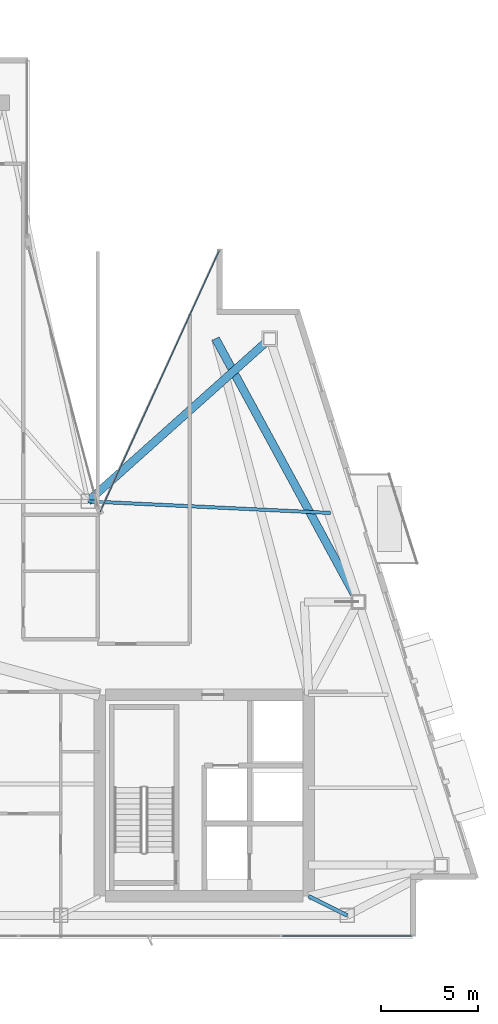
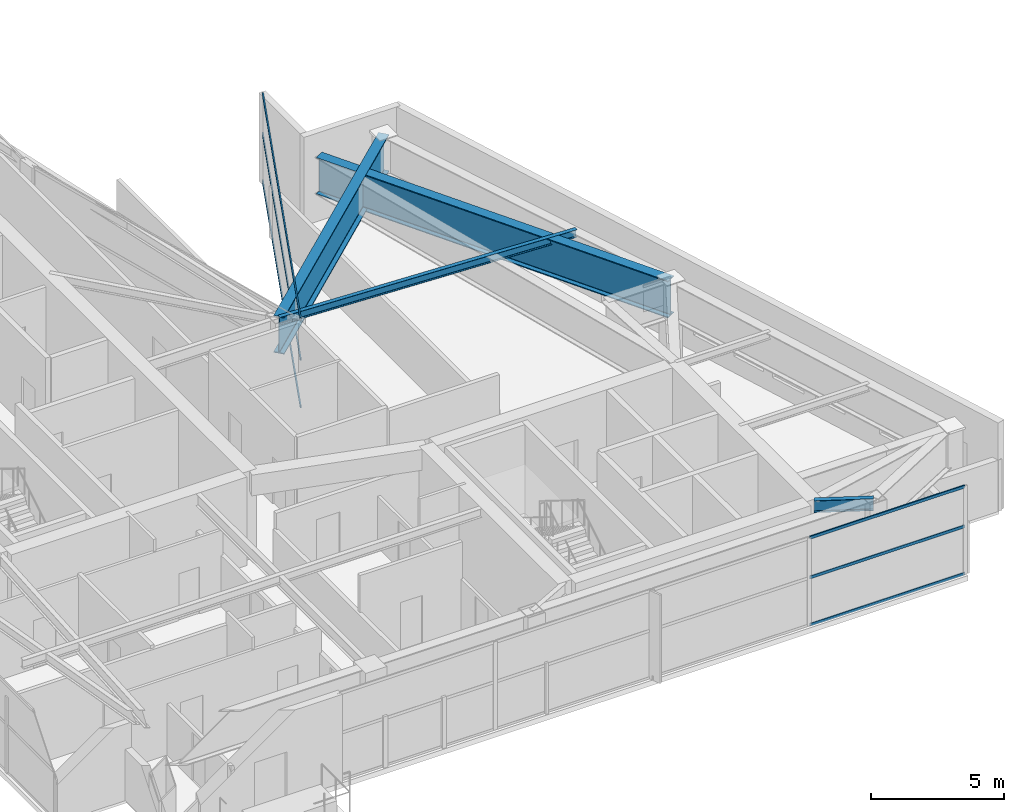
# One storey, part 12 of 26: 6 members, 4 beams, 2 elements without a shape of their own.
"""IFC4 building model written with IfcOpenShell, lengths in metres."""

from ifc_helpers import new_model, si_unit, direction, frame, origin, origin_2d, place, context, subcontext, project, spatial, hollow_rectangle, i_section, extrude, material, layer, layer_set, material_profile, profile_set, type_object, element, aggregate, save


model = new_model("IFC4")

# Units and contexts
model_context = context("Model", 3, precision=1e-05, world=origin(), true_north=direction((0.0, 1.0)))
body_context = subcontext(model_context, "Body", "Model", "MODEL_VIEW")
ifc_project = project(units=[si_unit("LENGTHUNIT", "METRE"), si_unit("AREAUNIT", "SQUARE_METRE"), si_unit("VOLUMEUNIT", "CUBIC_METRE"), si_unit("PLANEANGLEUNIT", "RADIAN"), si_unit("MASSUNIT", "GRAM", prefix="KILO")], contexts=[model_context])

# Site, building, storey
site_placement = place(None, origin())
site = spatial("IfcSite", under=ifc_project, at=site_placement, CompositionType="ELEMENT")
building_placement = place(site_placement, origin())
building = spatial("IfcBuilding", under=site, at=building_placement, Name="Calvorn Quay Hotel", CompositionType="ELEMENT")
storey_placement = place(building_placement, frame((0.0, 0.0, 302.5)))
storey = spatial("IfcBuildingStorey", under=building, at=storey_placement, Name="L75", CompositionType="ELEMENT", Elevation=302.5)

# Beams
ifc_material_1 = material(Name="Steel Q355B", Category="steel")
ifc_material_profile_1 = material_profile(ifc_material_1, i_section(OverallWidth=0.199951171875, OverallDepth=0.550048828125, WebThickness=0.010009765625, FlangeThickness=0.01611328125, FilletRadius=0.01806640625, at=origin_2d()), Name="HN550x200x10x16")
ifc_profile_set_1 = profile_set([ifc_material_profile_1], Name="Steel Q355B")
beam_type_1 = type_object("IfcBeamType", Name="BM-GIRD-UPP", PredefinedType="BEAM", material=ifc_profile_set_1)
beam_1_placement = place(storey_placement, frame((34.39990234375, 3.60009765625, 3.77490234375), z_axis=(-0.894427191, 0.4472135955, 0.0), x_axis=(-0.4472135955, -0.894427191, 0.0)))
element("IfcBeam", 1, at=beam_1_placement, inside=storey, type_object=beam_type_1, Name="Beam BG-L75-S3", PredefinedType="BEAM", context=body_context, shape_type="SweptSolid", body=[
    extrude(i_section(OverallWidth=0.199951171875, OverallDepth=0.550048828125, WebThickness=0.010009765625, FlangeThickness=0.01611328125, FilletRadius=0.01806640625, at=origin_2d()), origin(), (0.0, 0.0, 1.0), 2.236083984375),
])
ifc_material_2 = material(Name="Steel Q355B", Category="steel")
ifc_material_profile_2 = material_profile(ifc_material_2, i_section(OverallWidth=0.175048828125, OverallDepth=0.35009765625, WebThickness=0.007080078125, FlangeThickness=0.010986328125, FilletRadius=0.013916015625, at=origin_2d()), Name="HN350x175x7x11")
ifc_profile_set_2 = profile_set([ifc_material_profile_2], Name="Steel Q355B")
beam_type_2 = type_object("IfcBeamType", Name="BM-JOIST-SEC", PredefinedType="JOIST", material=ifc_profile_set_2)
beam_2_placement = place(storey_placement, frame((21.0, 25.0, 3.875), z_axis=(0.998854576396, -0.047849087891, 0.0), x_axis=(0.047849087891, 0.998854576396, 0.0)))
element("IfcBeam", 2, at=beam_2_placement, inside=storey, type_object=beam_type_2, Name="Beam BJ-L75-E3", PredefinedType="JOIST", context=body_context, shape_type="SweptSolid", body=[
    extrude(i_section(OverallWidth=0.175048828125, OverallDepth=0.35009765625, WebThickness=0.007080078125, FlangeThickness=0.010986328125, FilletRadius=0.013916015625, at=origin_2d()), origin(), (0.0, 0.0, 1.0), 12.54150390625),
])
ifc_material_3 = material(Name="Steel Q420GJC", Category="steel")
ifc_material_profile_3 = material_profile(ifc_material_3, i_section(OverallWidth=0.419921875, OverallDepth=1.699951171875, WebThickness=0.02392578125, FlangeThickness=0.0419921875, FilletRadius=0.02392578125, at=origin_2d()), Name="HN1700x420x24x42")
ifc_profile_set_3 = profile_set([ifc_material_profile_3], Name="Steel Q420GJC")
beam_type_3 = type_object("IfcBeamType", Name="BM-XFER-SAWTOOTH", PredefinedType="BEAM", material=ifc_profile_set_3)
beam_3_placement = place(storey_placement, frame((27.591064453125, 33.39990234375, 3.199951171875), z_axis=(0.477203264723, -0.878792947251, 0.0), x_axis=(0.878792947251, 0.477203264723, 0.0)))
element("IfcBeam", 3, at=beam_3_placement, inside=storey, type_object=beam_type_3, Name="Beam BTG-L75-C-ET3B", PredefinedType="BEAM", context=body_context, shape_type="SweptSolid", body=[
    extrude(i_section(OverallWidth=0.419921875, OverallDepth=1.699951171875, WebThickness=0.02392578125, FlangeThickness=0.0419921875, FilletRadius=0.02392578125, at=origin_2d()), origin(), (0.0, 0.0, 1.0), 15.4755859375),
])
beam_4_placement = place(storey_placement, frame((30.39111328125, 33.39990234375, 3.199951171875), z_axis=(-0.745346713825, -0.666677040396, 0.0), x_axis=(0.666677040396, -0.745346713825, 0.0)))
element("IfcBeam", 4, at=beam_4_placement, inside=storey, type_object=beam_type_3, Name="Beam BSP-L75-E3", PredefinedType="BEAM", context=body_context, shape_type="SweptSolid", body=[
    extrude(i_section(OverallWidth=0.419921875, OverallDepth=1.699951171875, WebThickness=0.02392578125, FlangeThickness=0.0419921875, FilletRadius=0.02392578125, at=origin_2d()), origin(), (0.0, 0.0, 1.0), 12.599609375),
])

# Curtain wall, members
ifc_material_4 = material(Name="Champagne Bronze Anodised Aluminium and Low-E Glass", Category="aluminium")
ifc_layer = layer(ifc_material_4, 0.219970703125)
ifc_layer_set = layer_set([ifc_layer], Name="CW-SYS-Z4")
curtain_wall_type = type_object("IfcCurtainWallType", Name="CW-SYS-Z4", PredefinedType="NOTDEFINED", material=ifc_layer_set)
curtain_wall_1_placement = place(storey_placement, origin())
curtain_wall_1 = element("IfcCurtainWall", 5, at=curtain_wall_1_placement, inside=storey, type_object=curtain_wall_type, Name="Tower South Waterfront Curtain Wall (L75)", PredefinedType="NOTDEFINED")
ifc_material_5 = material(Name="Champagne Bronze Anodised Aluminium 6063-T6", Category="aluminium")
ifc_material_profile_4 = material_profile(ifc_material_5, hollow_rectangle(XDim=0.054931640625, YDim=0.1298828125, WallThickness=0.003173828125, at=origin_2d()), Name="ALU-T130x55x3.2")
ifc_profile_set_4 = profile_set([ifc_material_profile_4], Name="Champagne Bronze Anodised Aluminium 6063-T6")
member_type = type_object("IfcMemberType", Name="CW-SYS-Z4-TRN", PredefinedType="USERDEFINED", material=ifc_profile_set_4)
member_1_placement = place(storey_placement, frame((31.030029296875, 2.550048828125, 0.030029296875), z_axis=(1.0, 0.0, 0.0), x_axis=(0.0, 1.0, 0.0)))
member_1 = element("IfcMember", 6, at=member_1_placement, type_object=member_type, Name="CW-L75-S transom 4.1", ObjectType="TRANSOM", PredefinedType="USERDEFINED", context=body_context, shape_type="SweptSolid", body=[
    extrude(hollow_rectangle(XDim=0.054931640625, YDim=0.1298828125, WallThickness=0.003173828125, at=origin_2d()), origin(), (0.0, 0.0, 1.0), 6.7099609375),
])
member_2_placement = place(storey_placement, frame((31.030029296875, 2.550048828125, 2.199951171875), z_axis=(1.0, 0.0, 0.0), x_axis=(0.0, 1.0, 0.0)))
member_2 = element("IfcMember", 7, at=member_2_placement, type_object=member_type, Name="CW-L75-S transom 4.2", ObjectType="TRANSOM", PredefinedType="USERDEFINED", context=body_context, shape_type="SweptSolid", body=[
    extrude(hollow_rectangle(XDim=0.054931640625, YDim=0.1298828125, WallThickness=0.003173828125, at=origin_2d()), origin(), (0.0, 0.0, 1.0), 6.7099609375),
])
member_3_placement = place(storey_placement, frame((31.030029296875, 2.550048828125, 4.02001953125), z_axis=(1.0, 0.0, 0.0), x_axis=(0.0, 1.0, 0.0)))
member_3 = element("IfcMember", 8, at=member_3_placement, type_object=member_type, Name="CW-L75-S transom 4.3", ObjectType="TRANSOM", PredefinedType="USERDEFINED", context=body_context, shape_type="SweptSolid", body=[
    extrude(hollow_rectangle(XDim=0.054931640625, YDim=0.1298828125, WallThickness=0.003173828125, at=origin_2d()), origin(), (0.0, 0.0, 1.0), 6.7099609375),
])
aggregate(curtain_wall_1, [member_1, member_2, member_3])

curtain_wall_2_placement = place(storey_placement, origin())
curtain_wall_2 = element("IfcCurtainWall", 9, at=curtain_wall_2_placement, inside=storey, type_object=curtain_wall_type, Name="Inner Court Curtain Wall L75-NE1", PredefinedType="NOTDEFINED")
member_4_placement = place(storey_placement, frame((27.775146484375, 37.9453125, 0.030029296875), z_axis=(-0.414808842845, -0.909908579967, 0.0), x_axis=(0.909908579967, -0.414808842845, 0.0)))
member_4 = element("IfcMember", 10, at=member_4_placement, type_object=member_type, Name="CW-L75-NE1 transom 1.1", ObjectType="TRANSOM", PredefinedType="USERDEFINED", context=body_context, shape_type="SweptSolid", body=[
    extrude(hollow_rectangle(XDim=0.054931640625, YDim=0.1298828125, WallThickness=0.003173828125, at=origin_2d()), origin(), (0.0, 0.0, 1.0), 14.826416015625),
])
member_5_placement = place(storey_placement, frame((27.775146484375, 37.9453125, 2.199951171875), z_axis=(-0.414808842845, -0.909908579967, 0.0), x_axis=(0.909908579967, -0.414808842845, 0.0)))
member_5 = element("IfcMember", 11, at=member_5_placement, type_object=member_type, Name="CW-L75-NE1 transom 1.2", ObjectType="TRANSOM", PredefinedType="USERDEFINED", context=body_context, shape_type="SweptSolid", body=[
    extrude(hollow_rectangle(XDim=0.054931640625, YDim=0.1298828125, WallThickness=0.003173828125, at=origin_2d()), origin(), (0.0, 0.0, 1.0), 14.826416015625),
])
member_6_placement = place(storey_placement, frame((27.775146484375, 37.9453125, 4.02001953125), z_axis=(-0.414808842845, -0.909908579967, 0.0), x_axis=(0.909908579967, -0.414808842845, 0.0)))
member_6 = element("IfcMember", 12, at=member_6_placement, type_object=member_type, Name="CW-L75-NE1 transom 1.3", ObjectType="TRANSOM", PredefinedType="USERDEFINED", context=body_context, shape_type="SweptSolid", body=[
    extrude(hollow_rectangle(XDim=0.054931640625, YDim=0.1298828125, WallThickness=0.003173828125, at=origin_2d()), origin(), (0.0, 0.0, 1.0), 14.826416015625),
])
aggregate(curtain_wall_2, [member_4, member_5, member_6])

save(model, "model.ifc")
